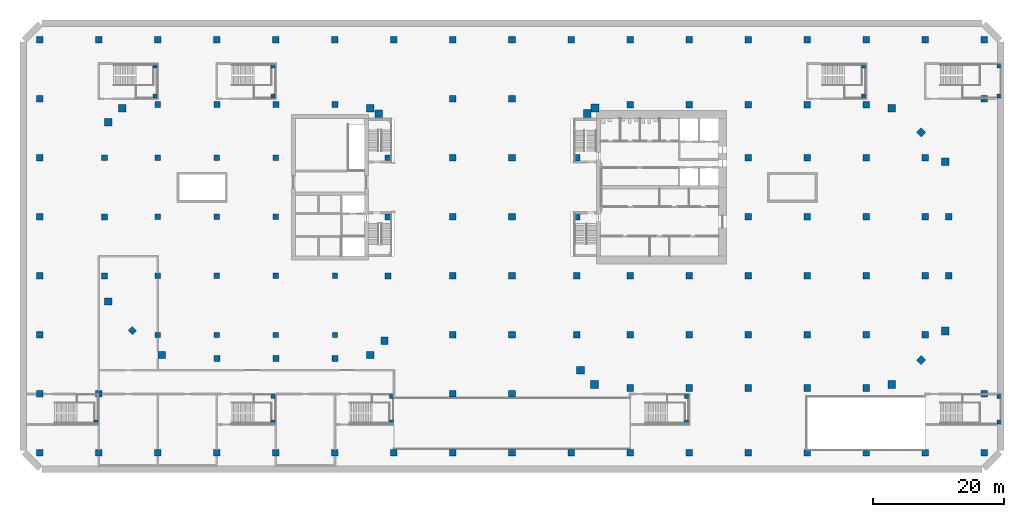
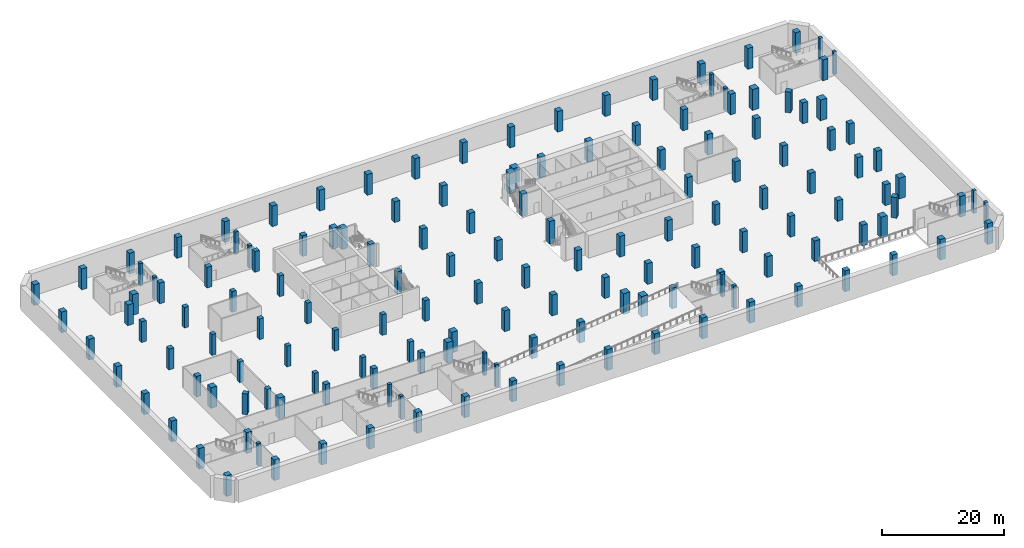
# One storey, part 1 of 16: 154 columns.
"""IFC4 building model written with IfcOpenShell, lengths in metres."""

from ifc_helpers import new_model, si_unit, direction, frame, origin, origin_2d, place, context, subcontext, project, spatial, rectangle, extrude, material, material_profile, profile_set, type_object, element, save


model = new_model("IFC4")

# Units and contexts
model_context = context("Model", 3, precision=1e-05, world=origin(), true_north=direction((0.0, 1.0)))
body_context = subcontext(model_context, "Body", "Model", "MODEL_VIEW")
ifc_project = project(units=[si_unit("LENGTHUNIT", "METRE"), si_unit("AREAUNIT", "SQUARE_METRE"), si_unit("VOLUMEUNIT", "CUBIC_METRE"), si_unit("PLANEANGLEUNIT", "RADIAN"), si_unit("MASSUNIT", "GRAM", prefix="KILO")], contexts=[model_context])

# Site, building, storey
site_placement = place(None, origin())
site = spatial("IfcSite", under=ifc_project, at=site_placement, CompositionType="ELEMENT")
building_placement = place(site_placement, origin())
building = spatial("IfcBuilding", under=site, at=building_placement, Name="Cinnabar Reach Civic Tower", CompositionType="ELEMENT")
storey_placement = place(building_placement, frame((0.0, 0.0, -9.5)))
storey = spatial("IfcBuildingStorey", under=building, at=storey_placement, Name="B2", CompositionType="ELEMENT", Elevation=-9.5)

# Columns
ifc_material_1 = material(Name="Concrete C70", Category="concrete")
ifc_material_profile_1 = material_profile(ifc_material_1, rectangle(XDim=1.0, YDim=1.0, at=origin_2d()), Name="RC1000")
ifc_profile_set_1 = profile_set([ifc_material_profile_1], Name="Concrete C70")
column_type_1 = type_object("IfcColumnType", Name="RC1000 column R 240", PredefinedType="COLUMN", material=ifc_profile_set_1)
for number, where, z_axis, x_axis, name in (
    (1, (9.0, 0.9, 0.0), (0.0, 0.0, 1.0), (1.0, 0.0, 0.0), "Column T1-Z1-F0-1"),
    (2, (18.0, 0.9, 0.0), (0.0, 0.0, 1.0), (1.0, 0.0, 0.0), "Column T1-Z1-F0-2"),
    (3, (27.0, 0.9, 0.0), (0.0, 0.0, 1.0), (1.0, 0.0, 0.0), "Column T1-Z1-F0-3"),
    (4, (36.0, 0.9, 0.0), (0.0, 0.0, 1.0), (1.0, 0.0, 0.0), "Column T1-Z1-F0-4"),
    (5, (45.0, 0.9, 0.0), (0.0, 0.0, 1.0), (1.0, 0.0, 0.0), "Column T1-Z1-F0-5"),
    (6, (53.3636, 5.1364, 0.0), (0.0, 0.0, 1.0), (0.707106781187, 0.707106781187, 0.0), "Column T1-Z1-F1-M"),
    (7, (57.6, 18.0, 0.0), (0.0, 0.0, 1.0), (1.0, 0.0, 0.0), "Column T1-Z1-F2-2"),
    (8, (57.6, 27.0, 0.0), (0.0, 0.0, 1.0), (1.0, 0.0, 0.0), "Column T1-Z1-F2-3"),
    (9, (53.3636, 39.8636, 0.0), (0.0, 0.0, 1.0), (0.707106781187, 0.707106781187, 0.0), "Column T1-Z1-F3-M"),
    (10, (9.0, 44.1, 0.0), (0.0, 0.0, 1.0), (1.0, 0.0, 0.0), "Column T1-Z1-F4-1"),
    (11, (18.0, 44.1, 0.0), (0.0, 0.0, 1.0), (1.0, 0.0, 0.0), "Column T1-Z1-F4-2"),
    (12, (27.0, 44.1, 0.0), (0.0, 0.0, 1.0), (1.0, 0.0, 0.0), "Column T1-Z1-F4-3"),
    (13, (36.0, 44.1, 0.0), (0.0, 0.0, 1.0), (1.0, 0.0, 0.0), "Column T1-Z1-F4-4"),
    (14, (45.0, 44.1, 0.0), (0.0, 0.0, 1.0), (1.0, 0.0, 0.0), "Column T1-Z1-F4-5"),
    (15, (0.9, 9.0, 0.0), (0.0, 0.0, 1.0), (1.0, 0.0, 0.0), "Column T1-Z1-F6-1"),
    (16, (0.9, 18.0, 0.0), (0.0, 0.0, 1.0), (1.0, 0.0, 0.0), "Column T1-Z1-F6-2"),
):
    element("IfcColumn", number, at=place(storey_placement, frame(where, z_axis=z_axis, x_axis=x_axis)), inside=storey, type_object=column_type_1, Name=name, PredefinedType="COLUMN", context=body_context, shape_type="SweptSolid", body=[
        extrude(rectangle(XDim=1.0, YDim=1.0, at=origin_2d()), origin(), (0.0, 0.0, 1.0), 4.15),
    ])
for number, where, z_axis, x_axis, name in (
    (17, (0.9, 27.0, 0.0), (0.0, 0.0, 1.0), (1.0, 0.0, 0.0), "Column T1-Z1-F6-3"),
    (18, (0.9, 36.0, 0.0), (0.0, 0.0, 1.0), (1.0, 0.0, 0.0), "Column T1-Z1-F6-4"),
):
    element("IfcColumn", number, at=place(storey_placement, frame(where, z_axis=z_axis, x_axis=x_axis)), inside=storey, type_object=column_type_1, Name=name, PredefinedType="COLUMN", context=body_context, shape_type="SweptSolid", body=[
        extrude(rectangle(XDim=1.0, YDim=1.0, at=origin_2d()), origin(), (0.0, 0.0, 1.0), 4.5),
    ])
for number, where, z_axis, x_axis, name in (
    (19, (9.0, 9.0, 0.0), (0.0, 0.0, 1.0), (1.0, 0.0, 0.0), "Column T1-Z1-I9_9"),
    (20, (9.0, 18.0, 0.0), (0.0, 0.0, 1.0), (1.0, 0.0, 0.0), "Column T1-Z1-I9_18"),
    (21, (18.0, 9.0, 0.0), (0.0, 0.0, 1.0), (1.0, 0.0, 0.0), "Column T1-Z1-I18_9"),
    (22, (18.0, 18.0, 0.0), (0.0, 0.0, 1.0), (1.0, 0.0, 0.0), "Column T1-Z1-I18_18"),
    (23, (27.0, 9.0, 0.0), (0.0, 0.0, 1.0), (1.0, 0.0, 0.0), "Column T1-Z1-I27_9"),
    (24, (27.0, 18.0, 0.0), (0.0, 0.0, 1.0), (1.0, 0.0, 0.0), "Column T1-Z1-I27_18"),
    (25, (27.0, 27.0, 0.0), (0.0, 0.0, 1.0), (1.0, 0.0, 0.0), "Column T1-Z1-I27_27"),
    (26, (27.0, 36.0, 0.0), (0.0, 0.0, 1.0), (1.0, 0.0, 0.0), "Column T1-Z1-I27_36"),
    (27, (36.0, 9.0, 0.0), (0.0, 0.0, 1.0), (1.0, 0.0, 0.0), "Column T1-Z1-I36_9"),
    (28, (36.0, 18.0, 0.0), (0.0, 0.0, 1.0), (1.0, 0.0, 0.0), "Column T1-Z1-I36_18"),
    (29, (36.0, 27.0, 0.0), (0.0, 0.0, 1.0), (1.0, 0.0, 0.0), "Column T1-Z1-I36_27"),
    (30, (36.0, 36.0, 0.0), (0.0, 0.0, 1.0), (1.0, 0.0, 0.0), "Column T1-Z1-I36_36"),
    (31, (45.0, 9.0, 0.0), (0.0, 0.0, 1.0), (1.0, 0.0, 0.0), "Column T1-Z1-I45_9"),
    (32, (45.0, 18.0, 0.0), (0.0, 0.0, 1.0), (1.0, 0.0, 0.0), "Column T1-Z1-I45_18"),
    (33, (45.0, 27.0, 0.0), (0.0, 0.0, 1.0), (1.0, 0.0, 0.0), "Column T1-Z1-I45_27"),
    (34, (45.0, 36.0, 0.0), (0.0, 0.0, 1.0), (1.0, 0.0, 0.0), "Column T1-Z1-I45_36"),
    (35, (54.0, 9.0, 0.0), (0.0, 0.0, 1.0), (1.0, 0.0, 0.0), "Column T1-Z1-I54_9"),
    (36, (54.0, 18.0, 0.0), (0.0, 0.0, 1.0), (1.0, 0.0, 0.0), "Column T1-Z1-I54_18"),
    (37, (54.0, 27.0, 0.0), (0.0, 0.0, 1.0), (1.0, 0.0, 0.0), "Column T1-Z1-I54_27"),
    (38, (54.0, 36.0, 0.0), (0.0, 0.0, 1.0), (1.0, 0.0, 0.0), "Column T1-Z1-I54_36"),
    (39, (-81.0, -9.0, 0.0), (0.0, 0.0, 1.0), (1.0, 0.0, 0.0), "Column -81/-9 B2"),
    (40, (-81.0, 0.0, 0.0), (0.0, 0.0, 1.0), (1.0, 0.0, 0.0), "Column -81/0 B2"),
    (41, (-81.0, 9.0, 0.0), (0.0, 0.0, 1.0), (1.0, 0.0, 0.0), "Column -81/9 B2"),
    (42, (-81.0, 18.0, 0.0), (0.0, 0.0, 1.0), (1.0, 0.0, 0.0), "Column -81/18 B2"),
    (43, (-81.0, 27.0, 0.0), (0.0, 0.0, 1.0), (1.0, 0.0, 0.0), "Column -81/27 B2"),
    (44, (-81.0, 36.0, 0.0), (0.0, 0.0, 1.0), (1.0, 0.0, 0.0), "Column -81/36 B2"),
    (45, (-81.0, 45.0, 0.0), (0.0, 0.0, 1.0), (1.0, 0.0, 0.0), "Column -81/45 B2"),
    (46, (-81.0, 54.0, 0.0), (0.0, 0.0, 1.0), (1.0, 0.0, 0.0), "Column -81/54 B2"),
    (47, (-72.0, -9.0, 0.0), (0.0, 0.0, 1.0), (1.0, 0.0, 0.0), "Column -72/-9 B2"),
    (48, (-72.0, 0.0, 0.0), (0.0, 0.0, 1.0), (1.0, 0.0, 0.0), "Column -72/0 B2"),
    (49, (-72.0, 54.0, 0.0), (0.0, 0.0, 1.0), (1.0, 0.0, 0.0), "Column -72/54 B2"),
    (50, (-63.0, -9.0, 0.0), (0.0, 0.0, 1.0), (1.0, 0.0, 0.0), "Column -63/-9 B2"),
    (51, (-63.0, 54.0, 0.0), (0.0, 0.0, 1.0), (1.0, 0.0, 0.0), "Column -63/54 B2"),
    (52, (-54.0, -9.0, 0.0), (0.0, 0.0, 1.0), (1.0, 0.0, 0.0), "Column -54/-9 B2"),
    (53, (-54.0, 54.0, 0.0), (0.0, 0.0, 1.0), (1.0, 0.0, 0.0), "Column -54/54 B2"),
    (54, (-45.0, -9.0, 0.0), (0.0, 0.0, 1.0), (1.0, 0.0, 0.0), "Column -45/-9 B2"),
    (55, (-45.0, 54.0, 0.0), (0.0, 0.0, 1.0), (1.0, 0.0, 0.0), "Column -45/54 B2"),
    (56, (-36.0, -9.0, 0.0), (0.0, 0.0, 1.0), (1.0, 0.0, 0.0), "Column -36/-9 B2"),
    (57, (-36.0, 54.0, 0.0), (0.0, 0.0, 1.0), (1.0, 0.0, 0.0), "Column -36/54 B2"),
    (58, (-27.0, -9.0, 0.0), (0.0, 0.0, 1.0), (1.0, 0.0, 0.0), "Column -27/-9 B2"),
    (59, (-27.0, 54.0, 0.0), (0.0, 0.0, 1.0), (1.0, 0.0, 0.0), "Column -27/54 B2"),
    (60, (-18.0, -9.0, 0.0), (0.0, 0.0, 1.0), (1.0, 0.0, 0.0), "Column -18/-9 B2"),
    (61, (-18.0, 0.0, 0.0), (0.0, 0.0, 1.0), (1.0, 0.0, 0.0), "Column -18/0 B2"),
    (62, (-18.0, 9.0, 0.0), (0.0, 0.0, 1.0), (1.0, 0.0, 0.0), "Column -18/9 B2"),
    (63, (-18.0, 18.0, 0.0), (0.0, 0.0, 1.0), (1.0, 0.0, 0.0), "Column -18/18 B2"),
    (64, (-18.0, 27.0, 0.0), (0.0, 0.0, 1.0), (1.0, 0.0, 0.0), "Column -18/27 B2"),
    (65, (-18.0, 36.0, 0.0), (0.0, 0.0, 1.0), (1.0, 0.0, 0.0), "Column -18/36 B2"),
    (66, (-18.0, 45.0, 0.0), (0.0, 0.0, 1.0), (1.0, 0.0, 0.0), "Column -18/45 B2"),
    (67, (-18.0, 54.0, 0.0), (0.0, 0.0, 1.0), (1.0, 0.0, 0.0), "Column -18/54 B2"),
    (68, (-9.0, -9.0, 0.0), (0.0, 0.0, 1.0), (1.0, 0.0, 0.0), "Column -9/-9 B2"),
    (69, (-9.0, 0.0, 0.0), (0.0, 0.0, 1.0), (1.0, 0.0, 0.0), "Column -9/0 B2"),
    (70, (-9.0, 9.0, 0.0), (0.0, 0.0, 1.0), (1.0, 0.0, 0.0), "Column -9/9 B2"),
    (71, (-9.0, 18.0, 0.0), (0.0, 0.0, 1.0), (1.0, 0.0, 0.0), "Column -9/18 B2"),
    (72, (-9.0, 27.0, 0.0), (0.0, 0.0, 1.0), (1.0, 0.0, 0.0), "Column -9/27 B2"),
    (73, (-9.0, 36.0, 0.0), (0.0, 0.0, 1.0), (1.0, 0.0, 0.0), "Column -9/36 B2"),
    (74, (-9.0, 45.0, 0.0), (0.0, 0.0, 1.0), (1.0, 0.0, 0.0), "Column -9/45 B2"),
    (75, (-9.0, 54.0, 0.0), (0.0, 0.0, 1.0), (1.0, 0.0, 0.0), "Column -9/54 B2"),
    (76, (0.0, -9.0, 0.0), (0.0, 0.0, 1.0), (1.0, 0.0, 0.0), "Column 0/-9 B2"),
    (77, (0.0, 54.0, 0.0), (0.0, 0.0, 1.0), (1.0, 0.0, 0.0), "Column 0/54 B2"),
    (78, (9.0, -9.0, 0.0), (0.0, 0.0, 1.0), (1.0, 0.0, 0.0), "Column 9/-9 B2"),
    (79, (9.0, 54.0, 0.0), (0.0, 0.0, 1.0), (1.0, 0.0, 0.0), "Column 9/54 B2"),
    (80, (18.0, -9.0, 0.0), (0.0, 0.0, 1.0), (1.0, 0.0, 0.0), "Column 18/-9 B2"),
    (81, (18.0, 54.0, 0.0), (0.0, 0.0, 1.0), (1.0, 0.0, 0.0), "Column 18/54 B2"),
    (82, (27.0, -9.0, 0.0), (0.0, 0.0, 1.0), (1.0, 0.0, 0.0), "Column 27/-9 B2"),
    (83, (27.0, 54.0, 0.0), (0.0, 0.0, 1.0), (1.0, 0.0, 0.0), "Column 27/54 B2"),
    (84, (36.0, -9.0, 0.0), (0.0, 0.0, 1.0), (1.0, 0.0, 0.0), "Column 36/-9 B2"),
    (85, (36.0, 54.0, 0.0), (0.0, 0.0, 1.0), (1.0, 0.0, 0.0), "Column 36/54 B2"),
    (86, (45.0, -9.0, 0.0), (0.0, 0.0, 1.0), (1.0, 0.0, 0.0), "Column 45/-9 B2"),
    (87, (45.0, 54.0, 0.0), (0.0, 0.0, 1.0), (1.0, 0.0, 0.0), "Column 45/54 B2"),
    (88, (54.0, -9.0, 0.0), (0.0, 0.0, 1.0), (1.0, 0.0, 0.0), "Column 54/-9 B2"),
    (89, (54.0, 54.0, 0.0), (0.0, 0.0, 1.0), (1.0, 0.0, 0.0), "Column 54/54 B2"),
    (90, (63.0, -9.0, 0.0), (0.0, 0.0, 1.0), (1.0, 0.0, 0.0), "Column 63/-9 B2"),
    (91, (63.0, 0.0, 0.0), (0.0, 0.0, 1.0), (1.0, 0.0, 0.0), "Column 63/0 B2"),
    (92, (63.0, 45.0, 0.0), (0.0, 0.0, 1.0), (1.0, 0.0, 0.0), "Column 63/45 B2"),
    (93, (63.0, 54.0, 0.0), (0.0, 0.0, 1.0), (1.0, 0.0, 0.0), "Column 63/54 B2"),
):
    element("IfcColumn", number, at=place(storey_placement, frame(where, z_axis=z_axis, x_axis=x_axis)), inside=storey, type_object=column_type_1, Name=name, PredefinedType="COLUMN", context=body_context, shape_type="SweptSolid", body=[
        extrude(rectangle(XDim=1.0, YDim=1.0, at=origin_2d()), origin(), (0.0, 0.0, 1.0), 4.15),
    ])
ifc_material_2 = material(Name="Concrete C80", Category="concrete")
ifc_material_profile_2 = material_profile(ifc_material_2, rectangle(XDim=1.1, YDim=1.1, at=origin_2d()), Name="RC1100")
ifc_profile_set_2 = profile_set([ifc_material_profile_2], Name="Concrete C80")
column_type_2 = type_object("IfcColumnType", Name="RC1100 column R 180", PredefinedType="COLUMN", material=ifc_profile_set_2)
for number, where, z_axis, x_axis, name in (
    (94, (-62.3981, 5.9531, 0.0), (0.0, 0.0, 1.0), (1.0, 0.0, 0.0), "Column T2-Z1-CC0"),
    (95, (-30.6019, 5.9531, 0.0), (0.0, 0.0, 1.0), (1.0, 0.0, 0.0), "Column T2-Z1-CC1"),
    (96, (-28.4531, 8.1019, 0.0), (0.0, 0.0, 1.0), (1.0, 0.0, 0.0), "Column T2-Z1-CC2"),
    (97, (-29.3131, 42.7, 0.0), (0.0, 0.0, 1.0), (1.0, 0.0, 0.0), "Column T2-Z1-CC3"),
    (98, (-30.6019, 43.5469, 0.0), (0.0, 0.0, 1.0), (1.0, 0.0, 0.0), "Column T2-Z1-CC4"),
    (99, (-68.3981, 43.5469, 0.0), (0.0, 0.0, 1.0), (1.0, 0.0, 0.0), "Column T2-Z1-CC5"),
    (100, (-70.5469, 41.3981, 0.0), (0.0, 0.0, 1.0), (1.0, 0.0, 0.0), "Column T2-Z1-CC6"),
    (101, (-70.5469, 14.1019, 0.0), (0.0, 0.0, 1.0), (1.0, 0.0, 0.0), "Column T2-Z1-CC7"),
):
    element("IfcColumn", number, at=place(storey_placement, frame(where, z_axis=z_axis, x_axis=x_axis)), inside=storey, type_object=column_type_2, Name=name, PredefinedType="COLUMN", context=body_context, shape_type="SweptSolid", body=[
        extrude(rectangle(XDim=1.1, YDim=1.1, at=origin_2d()), origin(), (0.0, 0.0, 1.0), 4.15),
    ])
ifc_material_profile_3 = material_profile(ifc_material_2, rectangle(XDim=1.2, YDim=1.2, at=origin_2d()), Name="RC1200")
ifc_profile_set_3 = profile_set([ifc_material_profile_3], Name="Concrete C80")
column_type_3 = type_object("IfcColumnType", Name="RC1200 column R 240", PredefinedType="COLUMN", material=ifc_profile_set_3)
for number, where, z_axis, x_axis, name in (
    (102, (3.6019, 1.4531, 0.0), (0.0, 0.0, 1.0), (1.0, 0.0, 0.0), "Column T1-Z1-CC0"),
    (103, (48.8981, 1.4531, 0.0), (0.0, 0.0, 1.0), (1.0, 0.0, 0.0), "Column T1-Z1-CC1"),
    (104, (57.0469, 9.6019, 0.0), (0.0, 0.0, 1.0), (1.0, 0.0, 0.0), "Column T1-Z1-CC2"),
    (105, (57.0469, 35.3981, 0.0), (0.0, 0.0, 1.0), (1.0, 0.0, 0.0), "Column T1-Z1-CC3"),
    (106, (48.8981, 43.5469, 0.0), (0.0, 0.0, 1.0), (1.0, 0.0, 0.0), "Column T1-Z1-CC4"),
    (107, (3.6666, 43.5737, 0.0), (0.0, 0.0, 1.0), (1.0, 0.0, 0.0), "Column T1-Z1-CC5"),
    (108, (2.4631, 42.75, 0.0), (0.0, 0.0, 1.0), (1.0, 0.0, 0.0), "Column T1-Z1-CC6"),
    (109, (1.4531, 3.6019, 0.0), (0.0, 0.0, 1.0), (1.0, 0.0, 0.0), "Column T1-Z1-CC7"),
):
    element("IfcColumn", number, at=place(storey_placement, frame(where, z_axis=z_axis, x_axis=x_axis)), inside=storey, type_object=column_type_3, Name=name, PredefinedType="COLUMN", context=body_context, shape_type="SweptSolid", body=[
        extrude(rectangle(XDim=1.2, YDim=1.2, at=origin_2d()), origin(), (0.0, 0.0, 1.0), 4.15),
    ])
ifc_material_3 = material(Name="Concrete C60", Category="concrete")
ifc_material_profile_4 = material_profile(ifc_material_3, rectangle(XDim=0.6, YDim=0.6, at=origin_2d()), Name="RC600")
ifc_profile_set_4 = profile_set([ifc_material_profile_4], Name="Concrete C60")
column_type_4 = type_object("IfcColumnType", Name="RC600 landing post R 240", PredefinedType="COLUMN", material=ifc_profile_set_4)
for number, where, z_axis, x_axis, name in (
    (110, (-72.4, -4.25, 0.0), (0.0, 0.0, 1.0), (1.0, 0.0, 0.0), "Landing post PS1 B2 1"),
    (111, (-63.4, 49.95, 0.0), (0.0, 0.0, 1.0), (1.0, 0.0, 0.0), "Landing post PS2 B2 1"),
    (112, (-63.4, 45.4, 0.0), (0.0, 0.0, 1.0), (1.0, 0.0, 0.0), "Landing post PS2 B2 2"),
    (113, (17.6, -4.25, 0.0), (0.0, 0.0, 1.0), (1.0, 0.0, 0.0), "Landing post PS3 B2 1"),
    (114, (17.6, -0.4, 0.0), (0.0, 0.0, 1.0), (1.0, 0.0, 0.0), "Landing post PS3 B2 2"),
    (115, (65.2, -4.25, 0.0), (0.0, 0.0, 1.0), (1.0, 0.0, 0.0), "Landing post PS4 B2 1"),
    (116, (65.2, -0.4, 0.0), (0.0, 0.0, 1.0), (1.0, 0.0, 0.0), "Landing post PS4 B2 2"),
    (117, (65.2, 49.95, 0.0), (0.0, 0.0, 1.0), (1.0, 0.0, 0.0), "Landing post PS5 B2 1"),
    (118, (65.2, 45.4, 0.0), (0.0, 0.0, 1.0), (1.0, 0.0, 0.0), "Landing post PS5 B2 2"),
    (119, (44.6, 49.95, 0.0), (0.0, 0.0, 1.0), (1.0, 0.0, 0.0), "Landing post PS6 B2 1"),
    (120, (44.6, 45.4, 0.0), (0.0, 0.0, 1.0), (1.0, 0.0, 0.0), "Landing post PS6 B2 2"),
    (121, (-45.4, 49.95, 0.0), (0.0, 0.0, 1.0), (1.0, 0.0, 0.0), "Landing post PS7 B2 1"),
    (122, (-45.4, 45.4, 0.0), (0.0, 0.0, 1.0), (1.0, 0.0, 0.0), "Landing post PS7 B2 2"),
    (123, (-45.4, -4.25, 0.0), (0.0, 0.0, 1.0), (1.0, 0.0, 0.0), "Landing post PS8 B2 1"),
    (124, (-45.4, -0.4, 0.0), (0.0, 0.0, 1.0), (1.0, 0.0, 0.0), "Landing post PS8 B2 2"),
    (125, (-27.4, -4.25, 0.0), (0.0, 0.0, 1.0), (1.0, 0.0, 0.0), "Landing post PS9 B2 1"),
    (126, (-27.4, -0.4, 0.0), (0.0, 0.0, 1.0), (1.0, 0.0, 0.0), "Landing post PS9 B2 2"),
):
    element("IfcColumn", number, at=place(storey_placement, frame(where, z_axis=z_axis, x_axis=x_axis)), inside=storey, type_object=column_type_4, Name=name, PredefinedType="COLUMN", context=body_context, shape_type="SweptSolid", body=[
        extrude(rectangle(XDim=0.6, YDim=0.6, at=origin_2d()), origin(), (0.0, 0.0, 1.0), 4.5),
    ])
ifc_material_profile_5 = material_profile(ifc_material_3, rectangle(XDim=0.8, YDim=0.8, at=origin_2d()), Name="RC800")
ifc_profile_set_5 = profile_set([ifc_material_profile_5], Name="Concrete C60")
column_type_5 = type_object("IfcColumnType", Name="RC800 column R 180", PredefinedType="COLUMN", material=ifc_profile_set_5)
for number, where, z_axis, x_axis, name in (
    (127, (-63.0, 9.0, 0.0), (0.0, 0.0, 1.0), (1.0, 0.0, 0.0), "Column T2-Z1-I-63_9"),
    (128, (-63.0, 18.0, 0.0), (0.0, 0.0, 1.0), (1.0, 0.0, 0.0), "Column T2-Z1-I-63_18"),
    (129, (-63.0, 27.0, 0.0), (0.0, 0.0, 1.0), (1.0, 0.0, 0.0), "Column T2-Z1-I-63_27"),
    (130, (-63.0, 36.0, 0.0), (0.0, 0.0, 1.0), (1.0, 0.0, 0.0), "Column T2-Z1-I-63_36"),
    (131, (-54.0, 9.0, 0.0), (0.0, 0.0, 1.0), (1.0, 0.0, 0.0), "Column T2-Z1-I-54_9"),
    (132, (-54.0, 18.0, 0.0), (0.0, 0.0, 1.0), (1.0, 0.0, 0.0), "Column T2-Z1-I-54_18"),
    (133, (-54.0, 27.0, 0.0), (0.0, 0.0, 1.0), (1.0, 0.0, 0.0), "Column T2-Z1-I-54_27"),
    (134, (-54.0, 36.0, 0.0), (0.0, 0.0, 1.0), (1.0, 0.0, 0.0), "Column T2-Z1-I-54_36"),
    (135, (-45.0, 9.0, 0.0), (0.0, 0.0, 1.0), (1.0, 0.0, 0.0), "Column T2-Z1-I-45_9"),
    (136, (-45.0, 18.0, 0.0), (0.0, 0.0, 1.0), (1.0, 0.0, 0.0), "Column T2-Z1-I-45_18"),
    (137, (-45.0, 27.0, 0.0), (0.0, 0.0, 1.0), (1.0, 0.0, 0.0), "Column T2-Z1-I-45_27"),
    (138, (-45.0, 36.0, 0.0), (0.0, 0.0, 1.0), (1.0, 0.0, 0.0), "Column T2-Z1-I-45_36"),
    (139, (-36.0, 9.0, 0.0), (0.0, 0.0, 1.0), (1.0, 0.0, 0.0), "Column T2-Z1-I-36_9"),
    (140, (-36.0, 18.0, 0.0), (0.0, 0.0, 1.0), (1.0, 0.0, 0.0), "Column T2-Z1-I-36_18"),
):
    element("IfcColumn", number, at=place(storey_placement, frame(where, z_axis=z_axis, x_axis=x_axis)), inside=storey, type_object=column_type_5, Name=name, PredefinedType="COLUMN", context=body_context, shape_type="SweptSolid", body=[
        extrude(rectangle(XDim=0.8, YDim=0.8, at=origin_2d()), origin(), (0.0, 0.0, 1.0), 4.15),
    ])
ifc_material_profile_6 = material_profile(ifc_material_1, rectangle(XDim=0.9, YDim=0.9, at=origin_2d()), Name="RC900")
ifc_profile_set_6 = profile_set([ifc_material_profile_6], Name="Concrete C70")
column_type_6 = type_object("IfcColumnType", Name="RC900 column R 180", PredefinedType="COLUMN", material=ifc_profile_set_6)
for number, where, z_axis, x_axis, name in (
    (141, (-54.0, 5.4, 0.0), (0.0, 0.0, 1.0), (1.0, 0.0, 0.0), "Column T2-Z1-F0--6"),
    (142, (-45.0, 5.4, 0.0), (0.0, 0.0, 1.0), (1.0, 0.0, 0.0), "Column T2-Z1-F0--5"),
    (143, (-36.0, 5.4, 0.0), (0.0, 0.0, 1.0), (1.0, 0.0, 0.0), "Column T2-Z1-F0--4"),
    (144, (-27.9, 18.0, 0.0), (0.0, 0.0, 1.0), (1.0, 0.0, 0.0), "Column T2-Z1-F2-2"),
):
    element("IfcColumn", number, at=place(storey_placement, frame(where, z_axis=z_axis, x_axis=x_axis)), inside=storey, type_object=column_type_6, Name=name, PredefinedType="COLUMN", context=body_context, shape_type="SweptSolid", body=[
        extrude(rectangle(XDim=0.9, YDim=0.9, at=origin_2d()), origin(), (0.0, 0.0, 1.0), 4.15),
    ])
for number, where, z_axis, x_axis, name in (
    (145, (-27.9, 27.0, 0.0), (0.0, 0.0, 1.0), (1.0, 0.0, 0.0), "Column T2-Z1-F2-3"),
    (146, (-27.9, 36.0, 0.0), (0.0, 0.0, 1.0), (1.0, 0.0, 0.0), "Column T2-Z1-F2-4"),
):
    element("IfcColumn", number, at=place(storey_placement, frame(where, z_axis=z_axis, x_axis=x_axis)), inside=storey, type_object=column_type_6, Name=name, PredefinedType="COLUMN", context=body_context, shape_type="SweptSolid", body=[
        extrude(rectangle(XDim=0.9, YDim=0.9, at=origin_2d()), origin(), (0.0, 0.0, 1.0), 4.5),
    ])
for number, where, z_axis, x_axis, name in (
    (147, (-63.0, 44.1, 0.0), (0.0, 0.0, 1.0), (1.0, 0.0, 0.0), "Column T2-Z1-F4--7"),
    (148, (-54.0, 44.1, 0.0), (0.0, 0.0, 1.0), (1.0, 0.0, 0.0), "Column T2-Z1-F4--6"),
    (149, (-45.0, 44.1, 0.0), (0.0, 0.0, 1.0), (1.0, 0.0, 0.0), "Column T2-Z1-F4--5"),
    (150, (-36.0, 44.1, 0.0), (0.0, 0.0, 1.0), (1.0, 0.0, 0.0), "Column T2-Z1-F4--4"),
    (151, (-71.1, 18.0, 0.0), (0.0, 0.0, 1.0), (1.0, 0.0, 0.0), "Column T2-Z1-F6-2"),
    (152, (-71.1, 27.0, 0.0), (0.0, 0.0, 1.0), (1.0, 0.0, 0.0), "Column T2-Z1-F6-3"),
    (153, (-71.1, 36.0, 0.0), (0.0, 0.0, 1.0), (1.0, 0.0, 0.0), "Column T2-Z1-F6-4"),
    (154, (-66.8636, 9.6364, 0.0), (0.0, 0.0, 1.0), (0.707106781187, 0.707106781187, 0.0), "Column T2-Z1-F7-M"),
):
    element("IfcColumn", number, at=place(storey_placement, frame(where, z_axis=z_axis, x_axis=x_axis)), inside=storey, type_object=column_type_6, Name=name, PredefinedType="COLUMN", context=body_context, shape_type="SweptSolid", body=[
        extrude(rectangle(XDim=0.9, YDim=0.9, at=origin_2d()), origin(), (0.0, 0.0, 1.0), 4.15),
    ])

save(model, "model.ifc")
